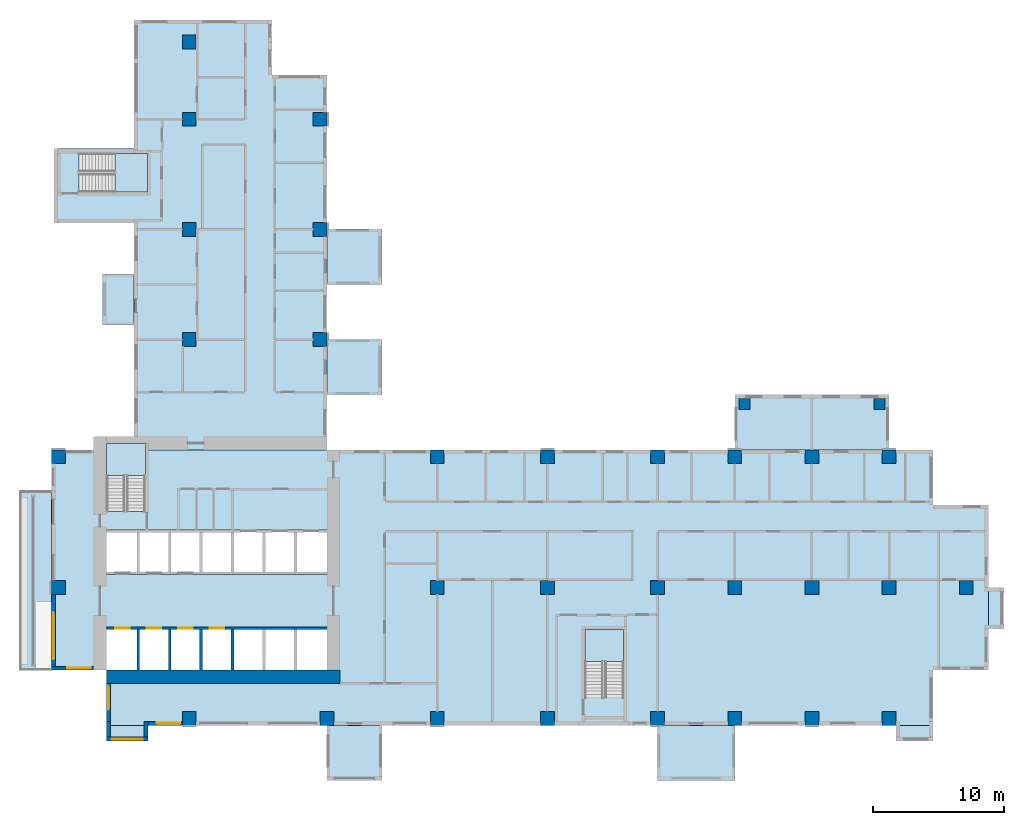
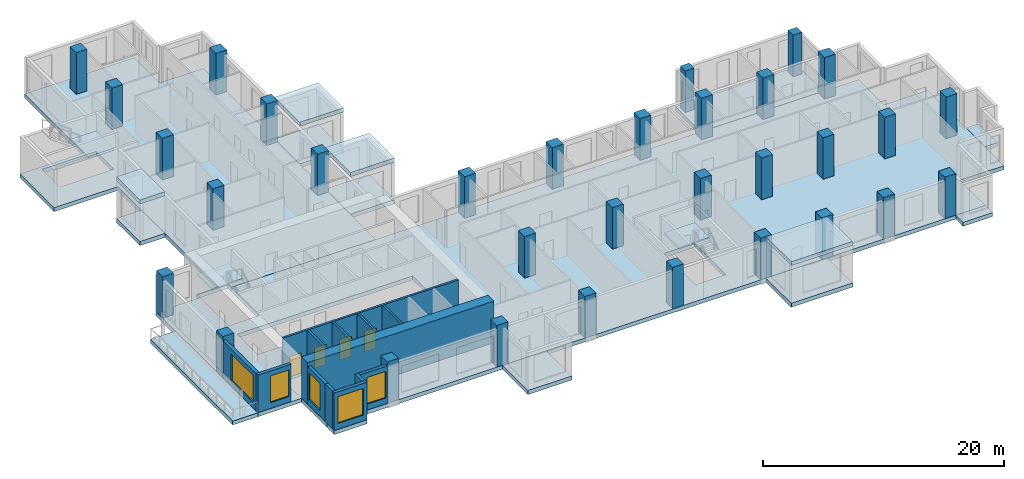
# One storey, part 1 of 14: 32 columns, 19 slabs, 13 walls, 5 windows, 4 doors, 9 openings, 3 elements without a shape of their own.
"""IFC4 building model written with IfcOpenShell, lengths in metres."""

from ifc_helpers import new_model, si_unit, direction, frame, frame_2d, origin, origin_2d, place, context, subcontext, project, spatial, polyline, rectangle, outline, extrude, source, transform, mapped, material, layer, layer_set, material_profile, profile_set, type_object, element, fill, aggregate, save


model = new_model("IFC4")

# Units and contexts
model_context = context("Model", 3, precision=1e-05, world=origin(), true_north=direction((0.0, 1.0)))
body_context = subcontext(model_context, "Body", "Model", "MODEL_VIEW")
ifc_project = project(units=[si_unit("LENGTHUNIT", "METRE"), si_unit("AREAUNIT", "SQUARE_METRE"), si_unit("VOLUMEUNIT", "CUBIC_METRE"), si_unit("PLANEANGLEUNIT", "RADIAN"), si_unit("MASSUNIT", "GRAM", prefix="KILO")], contexts=[model_context])

# Site, building, storey
site_placement = place(None, origin())
site = spatial("IfcSite", under=ifc_project, at=site_placement, CompositionType="ELEMENT")
building_placement = place(site_placement, origin())
building = spatial("IfcBuilding", under=site, at=building_placement, Name="Aurelian Terraces", CompositionType="ELEMENT")
storey_placement = place(building_placement, frame((0.0, 0.0, 111.9)))
storey = spatial("IfcBuildingStorey", under=building, at=storey_placement, Name="L24", CompositionType="ELEMENT", Elevation=111.9)

# Columns
ifc_material_1 = material(Name="Concrete fc' 83 MPa", Category="concrete")
ifc_material_profile_1 = material_profile(ifc_material_1, rectangle(XDim=1.05, YDim=1.05, at=origin_2d()))
ifc_profile_set_1 = profile_set([ifc_material_profile_1], Name="Concrete fc' 83 MPa")
column_type_1 = type_object("IfcColumnType", Name="RC COLUMN 1050X1050 FC83", PredefinedType="COLUMN", material=ifc_profile_set_1)
shared_shape_1 = source(origin(), body_context, "Body", "SweptSolid", [
    extrude(rectangle(XDim=1.05, YDim=1.05, at=origin_2d()), origin(), (0.0, 0.0, 1.0), 4.2),
])
for number, where, z_axis, x_axis, name in (
    (1, (10.5, 0.525, 0.0), (0.0, 0.0, 1.0), (1.0, 0.0, 0.0), "Column 2/A L24"),
    (2, (21.0, 0.525, 0.0), (0.0, 0.0, 1.0), (1.0, 0.0, 0.0), "Column 3/A L24"),
    (3, (29.4, 0.525, 0.0), (0.0, 0.0, 1.0), (1.0, 0.0, 0.0), "Column 4/A L24"),
    (4, (37.8, 0.525, 0.0), (0.0, 0.0, 1.0), (1.0, 0.0, 0.0), "Column 5/A L24"),
    (5, (46.2, 0.525, 0.0), (0.0, 0.0, 1.0), (1.0, 0.0, 0.0), "Column 6/A L24"),
    (6, (52.08, 0.525, 0.0), (0.0, 0.0, 1.0), (1.0, 0.0, 0.0), "Column 7/A L24"),
    (7, (57.96, 0.525, 0.0), (0.0, 0.0, 1.0), (1.0, 0.0, 0.0), "Column 8/A L24"),
    (8, (63.84, 0.525, 0.0), (0.0, 0.0, 1.0), (1.0, 0.0, 0.0), "Column 9/A L24"),
    (9, (0.525, 10.5, 0.0), (0.0, 0.0, 1.0), (1.0, 0.0, 0.0), "Column 1/B L24"),
    (10, (29.4, 10.5, 0.0), (0.0, 0.0, 1.0), (1.0, 0.0, 0.0), "Column 4/B L24"),
    (11, (37.8, 10.5, 0.0), (0.0, 0.0, 1.0), (1.0, 0.0, 0.0), "Column 5/B L24"),
    (12, (46.2, 10.5, 0.0), (0.0, 0.0, 1.0), (1.0, 0.0, 0.0), "Column 6/B L24"),
    (13, (52.08, 10.5, 0.0), (0.0, 0.0, 1.0), (1.0, 0.0, 0.0), "Column 7/B L24"),
    (14, (57.96, 10.5, 0.0), (0.0, 0.0, 1.0), (1.0, 0.0, 0.0), "Column 8/B L24"),
    (15, (63.84, 10.5, 0.0), (0.0, 0.0, 1.0), (1.0, 0.0, 0.0), "Column 9/B L24"),
    (16, (69.72, 10.5, 0.0), (0.0, 0.0, 1.0), (1.0, 0.0, 0.0), "Column 10/B L24"),
    (17, (0.525, 20.475, 0.0), (0.0, 0.0, 1.0), (1.0, 0.0, 0.0), "Column 1/C L24"),
    (18, (29.4, 20.475, 0.0), (0.0, 0.0, 1.0), (1.0, 0.0, 0.0), "Column 4/C L24"),
    (19, (37.8, 20.475, 0.0), (0.0, 0.0, 1.0), (1.0, 0.0, 0.0), "Column 5/C L24"),
    (20, (46.2, 20.475, 0.0), (0.0, 0.0, 1.0), (1.0, 0.0, 0.0), "Column 6/C L24"),
    (21, (52.08, 20.475, 0.0), (0.0, 0.0, 1.0), (1.0, 0.0, 0.0), "Column 7/C L24"),
    (22, (57.96, 20.475, 0.0), (0.0, 0.0, 1.0), (1.0, 0.0, 0.0), "Column 8/C L24"),
    (23, (63.84, 20.475, 0.0), (0.0, 0.0, 1.0), (1.0, 0.0, 0.0), "Column 9/C L24"),
    (24, (10.5, 29.4, 0.0), (0.0, 0.0, 1.0), (1.0, 0.0, 0.0), "Column 2/D L24"),
    (25, (20.475, 29.4, 0.0), (0.0, 0.0, 1.0), (1.0, 0.0, 0.0), "Column 3/D L24"),
    (26, (10.5, 37.8, 0.0), (0.0, 0.0, 1.0), (1.0, 0.0, 0.0), "Column 2/E L24"),
    (27, (20.475, 37.8, 0.0), (0.0, 0.0, 1.0), (1.0, 0.0, 0.0), "Column 3/E L24"),
    (28, (10.5, 46.2, 0.0), (0.0, 0.0, 1.0), (1.0, 0.0, 0.0), "Column 2/F L24"),
    (29, (20.475, 46.2, 0.0), (0.0, 0.0, 1.0), (1.0, 0.0, 0.0), "Column 3/F L24"),
    (30, (10.5, 52.08, 0.0), (0.0, 0.0, 1.0), (1.0, 0.0, 0.0), "Column 2/G L24"),
):
    element("IfcColumn", number, at=place(storey_placement, frame(where, z_axis=z_axis, x_axis=x_axis)), inside=storey, type_object=column_type_1, Name=name, PredefinedType="COLUMN", context=body_context, shape_type="MappedRepresentation", body=[
        mapped(shared_shape_1, transform((0.0, 0.0, 0.0), scale=1.0)),
    ])
ifc_material_2 = material(Name="Concrete fc' 55 MPa", Category="concrete")
ifc_material_profile_2 = material_profile(ifc_material_2, rectangle(XDim=0.84, YDim=0.84, at=origin_2d()))
ifc_profile_set_2 = profile_set([ifc_material_profile_2], Name="Concrete fc' 55 MPa")
column_type_2 = type_object("IfcColumnType", Name="BLOCK CORNER PIER 840X840", PredefinedType="COLUMN", material=ifc_profile_set_2)
shared_shape_2 = source(origin(), body_context, "Body", "SweptSolid", [
    extrude(rectangle(XDim=0.84, YDim=0.84, at=origin_2d()), origin(), (0.0, 0.0, 1.0), 4.6),
])
for number, where, z_axis, x_axis, name in (
    (31, (52.805, 24.48, -0.4), (0.0, 0.0, 1.0), (1.0, 0.0, 0.0), "Block pier K02.1 L24"),
    (32, (63.115, 24.48, -0.4), (0.0, 0.0, 1.0), (1.0, 0.0, 0.0), "Block pier K02.2 L24"),
):
    element("IfcColumn", number, at=place(storey_placement, frame(where, z_axis=z_axis, x_axis=x_axis)), inside=storey, type_object=column_type_2, Name=name, PredefinedType="COLUMN", context=body_context, shape_type="MappedRepresentation", body=[
        mapped(shared_shape_2, transform((0.0, 0.0, 0.0), scale=1.0)),
    ])

# Slabs
ifc_material_3 = material(Name="Concrete fc' 40 MPa", Category="concrete")
ifc_layer_1 = layer(ifc_material_3, 0.4)
ifc_layer_set_1 = layer_set([ifc_layer_1], Name="Bay floor 400")
slab_type_1 = type_object("IfcSlabType", Name="Bay floor 400", PredefinedType="NOTDEFINED", material=ifc_layer_set_1)
slab_1_placement = place(storey_placement, frame((0.0, 0.0, -0.4)))
element("IfcSlab", 33, at=slab_1_placement, inside=storey, type_object=slab_type_1, Name="Bay floor L24 F01.10", PredefinedType="NOTDEFINED", context=body_context, shape_type="SweptSolid", body=[
    extrude(outline(polyline([(64.365, 0.0), (67.2, 0.0), (67.2, -1.2), (64.365, -1.2), (64.365, 0.0)])), origin(), (0.0, 0.0, 1.0), 0.4),
])
ifc_layer_2 = layer(ifc_material_3, 0.41)
ifc_layer_set_2 = layer_set([ifc_layer_2], Name="Box floor 410")
slab_type_2 = type_object("IfcSlabType", Name="Box floor 410", PredefinedType="NOTDEFINED", material=ifc_layer_set_2)
slab_2_placement = place(storey_placement, frame((0.0, 0.0, -0.41)))
element("IfcSlab", 34, at=slab_2_placement, inside=storey, type_object=slab_type_2, Name="Box floor L24 J35", PredefinedType="NOTDEFINED", context=body_context, shape_type="SweptSolid", body=[
    extrude(outline(polyline([(21.0, -4.2), (25.2, -4.2), (25.2, 0.0), (21.0, 0.0), (21.0, -4.2)])), origin(), (0.0, 0.0, 1.0), 0.41),
])
slab_3_placement = place(storey_placement, frame((0.0, 0.0, -0.41)))
element("IfcSlab", 35, at=slab_3_placement, inside=storey, type_object=slab_type_2, Name="Box floor L24 K02", PredefinedType="NOTDEFINED", context=body_context, shape_type="SweptSolid", body=[
    extrude(outline(polyline([(63.84, 25.2), (52.08, 25.2), (52.08, 21.0), (63.84, 21.0), (63.84, 25.2)])), origin(), (0.0, 0.0, 1.0), 0.41),
])
ifc_layer_3 = layer(ifc_material_3, 0.4)
ifc_layer_set_3 = layer_set([ifc_layer_3], Name="Box roof 400")
slab_type_3 = type_object("IfcSlabType", Name="Box roof 400", PredefinedType="ROOF", material=ifc_layer_set_3)
slab_4_placement = place(storey_placement, frame((0.0, 0.0, 3.8)))
element("IfcSlab", 36, at=slab_4_placement, inside=storey, type_object=slab_type_3, Name="Box roof J34", PredefinedType="ROOF", context=body_context, shape_type="SweptSolid", body=[
    extrude(outline(polyline([(3.9, 34.4), (3.9, 30.5), (6.3, 30.5), (6.3, 34.4), (3.9, 34.4)])), origin(), (0.0, 0.0, 1.0), 0.4),
])
ifc_layer_4 = layer(ifc_material_3, 0.4)
ifc_layer_set_4 = layer_set([ifc_layer_4], Name="PT FLAT PLATE 400")
slab_type_4 = type_object("IfcSlabType", Name="PT FLAT PLATE 400", PredefinedType="FLOOR", material=ifc_layer_set_4)
shared_shape_3 = source(origin(), body_context, "Body", "SweptSolid", [
    extrude(outline(polyline([(67.2, 16.8), (71.4, 16.8), (71.4, 4.2), (67.2, 4.2), (67.2, 0.0), (21.0, 0.0), (4.2, 0.0), (4.2, 4.2), (0.0, 4.2), (0.0, 21.0), (4.21, 21.0), (4.21, 16.31), (7.14, 16.31), (7.14, 21.0), (21.0, 21.0), (67.2, 21.0), (67.2, 16.8)]), holes=[polyline([(40.66, 2.11), (43.59, 2.11), (43.59, 7.29), (40.66, 7.29), (40.66, 2.11)]), polyline([(4.21, 7.49), (4.21, 4.21), (20.99, 4.21), (20.99, 7.49), (4.21, 7.49)]), polyline([(4.21, 14.89), (4.21, 11.51), (20.99, 11.51), (20.99, 14.89), (4.21, 14.89)])]), origin(), (0.0, 0.0, 1.0), 0.4),
])
slab_5_placement = place(storey_placement, frame((0.0, 0.0, -0.4)))
element("IfcSlab", 37, at=slab_5_placement, inside=storey, type_object=slab_type_4, Name="Floor slab S L24", PredefinedType="FLOOR", context=body_context, shape_type="MappedRepresentation", body=[
    mapped(shared_shape_3, transform((0.0, 0.0, 0.0), scale=1.0)),
])
shared_shape_4 = source(origin(), body_context, "Body", "SweptSolid", [
    extrude(outline(polyline([(0.2, 43.95), (6.3, 43.95), (6.3, 49.56), (6.3, 53.76), (10.5, 53.76), (16.8, 53.76), (16.8, 49.56), (21.0, 49.56), (21.0, 21.0), (7.14, 21.0), (7.14, 21.49), (4.21, 21.49), (4.21, 21.0), (4.2, 21.0), (4.2, 21.6), (6.3, 21.6), (6.3, 38.3), (0.2, 38.3), (0.2, 43.95)]), holes=[polyline([(7.29, 43.59), (2.11, 43.59), (2.11, 40.66), (7.29, 40.66), (7.29, 43.59)])]), origin(), (0.0, 0.0, 1.0), 0.4),
])
slab_6_placement = place(storey_placement, frame((0.0, 0.0, -0.4)))
element("IfcSlab", 38, at=slab_6_placement, inside=storey, type_object=slab_type_4, Name="Floor slab W L24", PredefinedType="FLOOR", context=body_context, shape_type="MappedRepresentation", body=[
    mapped(shared_shape_4, transform((0.0, 0.0, 0.0), scale=1.0)),
])
shared_shape_5 = source(origin(), body_context, "Body", "SweptSolid", [
    extrude(outline(polyline([(46.2, -4.2), (52.08, -4.2), (52.08, 0.0), (46.2, 0.0), (46.2, -4.2)])), origin(), (0.0, 0.0, 1.0), 0.41),
])
slab_7_placement = place(storey_placement, frame((0.0, 0.0, -0.41)))
element("IfcSlab", 39, at=slab_7_placement, inside=storey, type_object=slab_type_2, Name="Box floor L24 J31", PredefinedType="NOTDEFINED", context=body_context, shape_type="MappedRepresentation", body=[
    mapped(shared_shape_5, transform((0.0, 0.0, 0.0), scale=1.0)),
])
shared_shape_6 = source(origin(), body_context, "Body", "SweptSolid", [
    extrude(outline(polyline([(71.4, 7.35), (71.4, 10.5), (72.6, 10.5), (72.6, 7.35), (71.4, 7.35)])), origin(), (0.0, 0.0, 1.0), 0.4),
])
slab_8_placement = place(storey_placement, frame((0.0, 0.0, -0.4)))
element("IfcSlab", 40, at=slab_8_placement, inside=storey, type_object=slab_type_1, Name="Bay floor L24 F04.15", PredefinedType="NOTDEFINED", context=body_context, shape_type="MappedRepresentation", body=[
    mapped(shared_shape_6, transform((0.0, 0.0, 0.0), scale=1.0)),
])
shared_shape_7 = source(origin(), body_context, "Body", "SweptSolid", [
    extrude(outline(polyline([(4.2, 0.0), (7.35, 0.0), (7.35, -1.2), (4.2, -1.2), (4.2, 0.0)])), origin(), (0.0, 0.0, 1.0), 0.4),
])
slab_9_placement = place(storey_placement, frame((0.0, 0.0, -0.4)))
element("IfcSlab", 41, at=slab_9_placement, inside=storey, type_object=slab_type_1, Name="Bay floor L24 F01.1", PredefinedType="NOTDEFINED", context=body_context, shape_type="MappedRepresentation", body=[
    mapped(shared_shape_7, transform((0.0, 0.0, 0.0), scale=1.0)),
])
shared_shape_8 = source(origin(), body_context, "Body", "SweptSolid", [
    extrude(outline(polyline([(46.2, -4.2), (52.08, -4.2), (52.08, 0.0), (46.2, 0.0), (46.2, -4.2)])), origin(), (0.0, 0.0, 1.0), 0.4),
])
slab_10_placement = place(storey_placement, frame((0.0, 0.0, 3.8)))
element("IfcSlab", 42, at=slab_10_placement, inside=storey, type_object=slab_type_3, Name="Box roof J31", PredefinedType="ROOF", context=body_context, shape_type="MappedRepresentation", body=[
    mapped(shared_shape_8, transform((0.0, 0.0, 0.0), scale=1.0)),
])
shared_shape_9 = source(origin(), body_context, "Body", "SweptSolid", [
    extrude(outline(polyline([(25.2, 25.2), (25.2, 29.4), (21.0, 29.4), (21.0, 25.2), (25.2, 25.2)])), origin(), (0.0, 0.0, 1.0), 0.41),
])
slab_11_placement = place(storey_placement, frame((0.0, 0.0, -0.41)))
element("IfcSlab", 43, at=slab_11_placement, inside=storey, type_object=slab_type_2, Name="Box floor L24 J32", PredefinedType="NOTDEFINED", context=body_context, shape_type="MappedRepresentation", body=[
    mapped(shared_shape_9, transform((0.0, 0.0, 0.0), scale=1.0)),
])
shared_shape_10 = source(origin(), body_context, "Body", "SweptSolid", [
    extrude(outline(polyline([(25.2, 33.6), (25.2, 37.8), (21.0, 37.8), (21.0, 33.6), (25.2, 33.6)])), origin(), (0.0, 0.0, 1.0), 0.41),
])
slab_12_placement = place(storey_placement, frame((0.0, 0.0, -0.41)))
element("IfcSlab", 44, at=slab_12_placement, inside=storey, type_object=slab_type_2, Name="Box floor L24 J33", PredefinedType="NOTDEFINED", context=body_context, shape_type="MappedRepresentation", body=[
    mapped(shared_shape_10, transform((0.0, 0.0, 0.0), scale=1.0)),
])
shared_shape_11 = source(origin(), body_context, "Body", "SweptSolid", [
    extrude(outline(polyline([(25.2, 25.2), (25.2, 29.4), (21.0, 29.4), (21.0, 25.2), (25.2, 25.2)])), origin(), (0.0, 0.0, 1.0), 0.4),
])
slab_13_placement = place(storey_placement, frame((0.0, 0.0, 3.8)))
element("IfcSlab", 45, at=slab_13_placement, inside=storey, type_object=slab_type_3, Name="Box roof J32", PredefinedType="ROOF", context=body_context, shape_type="MappedRepresentation", body=[
    mapped(shared_shape_11, transform((0.0, 0.0, 0.0), scale=1.0)),
])
shared_shape_12 = source(origin(), body_context, "Body", "SweptSolid", [
    extrude(outline(polyline([(25.2, 33.6), (25.2, 37.8), (21.0, 37.8), (21.0, 33.6), (25.2, 33.6)])), origin(), (0.0, 0.0, 1.0), 0.4),
])
slab_14_placement = place(storey_placement, frame((0.0, 0.0, 3.8)))
element("IfcSlab", 46, at=slab_14_placement, inside=storey, type_object=slab_type_3, Name="Box roof J33", PredefinedType="ROOF", context=body_context, shape_type="MappedRepresentation", body=[
    mapped(shared_shape_12, transform((0.0, 0.0, 0.0), scale=1.0)),
])
shared_shape_13 = source(origin(), body_context, "Body", "SweptSolid", [
    extrude(outline(polyline([(3.9, 34.4), (3.9, 30.5), (6.3, 30.5), (6.3, 34.4), (3.9, 34.4)])), origin(), (0.0, 0.0, 1.0), 0.41),
])
slab_15_placement = place(storey_placement, frame((0.0, 0.0, -0.41)))
element("IfcSlab", 47, at=slab_15_placement, inside=storey, type_object=slab_type_2, Name="Box floor L24 J34", PredefinedType="NOTDEFINED", context=body_context, shape_type="MappedRepresentation", body=[
    mapped(shared_shape_13, transform((0.0, 0.0, 0.0), scale=1.0)),
])
ifc_layer_5 = layer(ifc_material_3, 0.4)
ifc_layer_set_5 = layer_set([ifc_layer_5], Name="Balcony slab 400")
slab_type_5 = type_object("IfcSlabType", Name="Balcony slab 400", PredefinedType="NOTDEFINED", material=ifc_layer_set_5)
shared_shape_14 = source(origin(), body_context, "Body", "SweptSolid", [
    extrude(outline(polyline([(0.0, 17.85), (0.0, 4.2), (-2.4, 4.2), (-2.4, 17.85), (0.0, 17.85)])), origin(), (0.0, 0.0, 1.0), 0.4),
])
slab_16_placement = place(storey_placement, frame((0.0, 0.0, -0.4)))
element("IfcSlab", 48, at=slab_16_placement, inside=storey, type_object=slab_type_5, Name="Balcony slab L24 F20.38", PredefinedType="NOTDEFINED", context=body_context, shape_type="MappedRepresentation", body=[
    mapped(shared_shape_14, transform((0.0, 0.0, 0.0), scale=1.0)),
])

# Stair, slab
stair_type = type_object("IfcStairType", Name="Stair 1400", PredefinedType="HALF_TURN_STAIR", material=ifc_material_3)
stair_1_placement = place(storey_placement, origin())
stair_1 = element("IfcStair", 49, at=stair_1_placement, inside=storey, type_object=stair_type, Name="L24 S1", PredefinedType="HALF_TURN_STAIR")
ifc_layer_6 = layer(ifc_material_3, 0.2)
ifc_layer_set_6 = layer_set([ifc_layer_6], Name="Stair landing 200")
slab_type_6 = type_object("IfcSlabType", Name="Stair landing 200", PredefinedType="LANDING", material=ifc_layer_set_6)
shared_shape_15 = source(origin(), body_context, "Body", "SweptSolid", [
    extrude(outline(polyline([(7.15, 19.05), (7.15, 21.5), (4.2, 21.5), (4.2, 19.05), (7.15, 19.05)])), origin(), (0.0, 0.0, 1.0), 0.2),
])
slab_17_placement = place(storey_placement, frame((0.0, 0.0, 1.9)))
slab_17 = element("IfcSlab", 50, at=slab_17_placement, type_object=slab_type_6, Name="S1 landing 1", PredefinedType="LANDING", context=body_context, shape_type="MappedRepresentation", body=[
    mapped(shared_shape_15, transform((0.0, 0.0, 0.0), scale=1.0)),
])
aggregate(stair_1, [slab_17])

stair_2_placement = place(storey_placement, origin())
stair_2 = element("IfcStair", 51, at=stair_2_placement, inside=storey, type_object=stair_type, Name="L24 S2", PredefinedType="HALF_TURN_STAIR")
shared_shape_16 = source(origin(), body_context, "Body", "SweptSolid", [
    extrude(outline(polyline([(43.6, 4.85), (43.6, 7.3), (40.65, 7.3), (40.65, 4.85), (43.6, 4.85)])), origin(), (0.0, 0.0, 1.0), 0.2),
])
slab_18_placement = place(storey_placement, frame((0.0, 0.0, 1.9)))
slab_18 = element("IfcSlab", 52, at=slab_18_placement, type_object=slab_type_6, Name="S2 landing 1", PredefinedType="LANDING", context=body_context, shape_type="MappedRepresentation", body=[
    mapped(shared_shape_16, transform((0.0, 0.0, 0.0), scale=1.0)),
])
aggregate(stair_2, [slab_18])

stair_3_placement = place(storey_placement, origin())
stair_3 = element("IfcStair", 53, at=stair_3_placement, inside=storey, type_object=stair_type, Name="L24 S3", PredefinedType="HALF_TURN_STAIR")
shared_shape_17 = source(origin(), body_context, "Body", "SweptSolid", [
    extrude(outline(polyline([(4.85, 40.65), (7.3, 40.65), (7.3, 43.6), (4.85, 43.6), (4.85, 40.65)])), origin(), (0.0, 0.0, 1.0), 0.2),
])
slab_19_placement = place(storey_placement, frame((0.0, 0.0, 1.9)))
slab_19 = element("IfcSlab", 54, at=slab_19_placement, type_object=slab_type_6, Name="S3 landing 1", PredefinedType="LANDING", context=body_context, shape_type="MappedRepresentation", body=[
    mapped(shared_shape_17, transform((0.0, 0.0, 0.0), scale=1.0)),
])
aggregate(stair_3, [slab_19])

# Wall
ifc_layer_7 = layer(ifc_material_1, 1.0)
ifc_layer_set_7 = layer_set([ifc_layer_7], Name="CORE WALL 1000 FC83")
wall_type_1 = type_object("IfcWallType", Name="CORE WALL 1000 FC83", PredefinedType="SHEAR", material=ifc_layer_set_7)
shared_shape_18 = source(origin(), body_context, "Body", "SweptSolid", [
    extrude(rectangle(XDim=17.8, YDim=1.0, at=frame_2d((8.9, 0.0))), origin(), (0.0, 0.0, 1.0), 4.2),
])
wall_1_placement = place(storey_placement, frame((4.2, 3.7, 0.0), z_axis=(0.0, 0.0, 1.0), x_axis=(1.0, 0.0, 0.0)))
element("IfcWall", 55, at=wall_1_placement, inside=storey, type_object=wall_type_1, Name="Core wall S L24", PredefinedType="SHEAR", context=body_context, shape_type="MappedRepresentation", body=[
    mapped(shared_shape_18, transform((0.0, 0.0, 0.0), scale=1.0)),
])

# Wall, opening, window
ifc_material_4 = material(Name="Terracotta rainscreen cladding", Category="masonry")
ifc_layer_8 = layer(ifc_material_4, 0.3)
ifc_layer_set_8 = layer_set([ifc_layer_8], Name="EW-300")
wall_type_2 = type_object("IfcWallType", Name="EW-300", PredefinedType="STANDARD", material=ifc_layer_set_8)
shared_shape_19 = source(origin(), body_context, "Body", "SweptSolid", [
    extrude(rectangle(XDim=3.15, YDim=0.3, at=frame_2d((1.575, 0.0))), origin(), (0.0, 0.0, 1.0), 3.8),
])
wall_2_placement = place(storey_placement, frame((4.2, -1.05, 0.0), z_axis=(0.0, 0.0, 1.0), x_axis=(1.0, 0.0, 0.0)))
wall_2 = element("IfcWall", 56, at=wall_2_placement, inside=storey, type_object=wall_type_2, Name="Bay wall L24 F01.1", PredefinedType="STANDARD", context=body_context, shape_type="MappedRepresentation", body=[
    mapped(shared_shape_19, transform((0.0, 0.0, 0.0), scale=1.0)),
])
shared_shape_20 = source(origin(), body_context, "Body", "SweptSolid", [
    extrude(rectangle(XDim=2.4, YDim=2.7, at=frame_2d((1.2, 1.35))), frame((0.0, 0.16, 0.0), z_axis=(0.0, -1.0, 0.0), x_axis=(1.0, 0.0, 0.0)), (0.0, 0.0, 1.0), 0.32),
])
opening_1_placement = place(wall_2_placement, frame((0.375, 0.0, 0.6)))
opening_1 = element("IfcOpeningElement", 57, at=opening_1_placement, cuts=wall_2, Name="Opening W2427", PredefinedType="OPENING", context=body_context, shape_type="MappedRepresentation", body=[
    mapped(shared_shape_20, transform((0.0, 0.0, 0.0), scale=1.0)),
])
ifc_material_5 = material(Name="Clear glazing", Category="glass")
window_type_1 = type_object("IfcWindowType", Name="W-2400x2700", PartitioningType="SINGLE_PANEL", PredefinedType="WINDOW", material=ifc_material_5)
shared_shape_21 = source(origin(), body_context, "Body", "SweptSolid", [
    extrude(rectangle(XDim=2.4, YDim=2.7, at=frame_2d((1.2, 1.35))), frame((0.0, 0.03, 0.0), z_axis=(0.0, -1.0, 0.0), x_axis=(1.0, 0.0, 0.0)), (0.0, 0.0, 1.0), 0.06),
])
window_1_placement = place(opening_1_placement, origin())
window_1 = element("IfcWindow", 58, at=window_1_placement, inside=storey, type_object=window_type_1, Name="Window L24 L24-F01-01-0", OverallHeight=2.7, OverallWidth=2.4, PartitioningType="SINGLE_PANEL", PredefinedType="WINDOW", context=body_context, shape_type="MappedRepresentation", body=[
    mapped(shared_shape_21, transform((0.0, 0.0, 0.0), scale=1.0)),
])
fill(opening_1, window_1)

# Walls
shared_shape_22 = source(origin(), body_context, "Body", "SweptSolid", [
    extrude(rectangle(XDim=1.2, YDim=0.3, at=frame_2d((0.6, 0.0))), origin(), (0.0, 0.0, 1.0), 3.8),
])
for number, where, z_axis, x_axis, name in (
    (59, (4.35, 0.3, 0.0), (0.0, 0.0, 1.0), (0.0, -1.0, 0.0), "Bay return L24 F01.1.1"),
    (60, (7.2, 0.3, 0.0), (0.0, 0.0, 1.0), (0.0, -1.0, 0.0), "Bay return L24 F01.1.2"),
):
    element("IfcWall", number, at=place(storey_placement, frame(where, z_axis=z_axis, x_axis=x_axis)), inside=storey, type_object=wall_type_2, Name=name, PredefinedType="STANDARD", context=body_context, shape_type="MappedRepresentation", body=[
        mapped(shared_shape_22, transform((0.0, 0.0, 0.0), scale=1.0)),
    ])

# Wall, opening, window
shared_shape_23 = source(origin(), body_context, "Body", "SweptSolid", [
    extrude(rectangle(XDim=3.2, YDim=0.3, at=frame_2d((1.6, 0.0))), origin(), (0.0, 0.0, 1.0), 3.8),
])
wall_3_placement = place(storey_placement, frame((0.0, 4.35, 0.0), z_axis=(0.0, 0.0, 1.0), x_axis=(1.0, 0.0, 0.0)))
wall_3 = element("IfcWall", 61, at=wall_3_placement, inside=storey, type_object=wall_type_2, Name="External wall L24 F21.39", PredefinedType="STANDARD", context=body_context, shape_type="MappedRepresentation", body=[
    mapped(shared_shape_23, transform((0.0, 0.0, 0.0), scale=1.0)),
])
shared_shape_24 = source(origin(), body_context, "Body", "SweptSolid", [
    extrude(rectangle(XDim=1.8, YDim=2.7, at=frame_2d((0.9, 1.35))), frame((0.0, 0.16, 0.0), z_axis=(0.0, -1.0, 0.0), x_axis=(1.0, 0.0, 0.0)), (0.0, 0.0, 1.0), 0.32),
])
opening_2_placement = place(wall_3_placement, frame((1.2, 0.0, 0.6)))
opening_2 = element("IfcOpeningElement", 62, at=opening_2_placement, cuts=wall_3, Name="Opening W1827", PredefinedType="OPENING", context=body_context, shape_type="MappedRepresentation", body=[
    mapped(shared_shape_24, transform((0.0, 0.0, 0.0), scale=1.0)),
])
window_type_2 = type_object("IfcWindowType", Name="W-1800x2700", PartitioningType="SINGLE_PANEL", PredefinedType="WINDOW", material=ifc_material_5)
shared_shape_25 = source(origin(), body_context, "Body", "SweptSolid", [
    extrude(rectangle(XDim=1.8, YDim=2.7, at=frame_2d((0.9, 1.35))), frame((0.0, 0.03, 0.0), z_axis=(0.0, -1.0, 0.0), x_axis=(1.0, 0.0, 0.0)), (0.0, 0.0, 1.0), 0.06),
])
window_2_placement = place(opening_2_placement, origin())
window_2 = element("IfcWindow", 63, at=window_2_placement, inside=storey, type_object=window_type_2, Name="Window L24 L24-F21-39-0", OverallHeight=2.7, OverallWidth=1.8, PartitioningType="SINGLE_PANEL", PredefinedType="WINDOW", context=body_context, shape_type="MappedRepresentation", body=[
    mapped(shared_shape_25, transform((0.0, 0.0, 0.0), scale=1.0)),
])
fill(opening_2, window_2)

wall_4_placement = place(storey_placement, frame((4.35, 3.2, 0.0), z_axis=(0.0, 0.0, 1.0), x_axis=(0.0, -1.0, 0.0)))
wall_4 = element("IfcWall", 64, at=wall_4_placement, inside=storey, type_object=wall_type_2, Name="External wall L24 F22.40", PredefinedType="STANDARD", context=body_context, shape_type="MappedRepresentation", body=[
    mapped(shared_shape_23, transform((0.0, 0.0, 0.0), scale=1.0)),
])
opening_3_placement = place(wall_4_placement, frame((0.2, 0.0, 0.6)))
opening_3 = element("IfcOpeningElement", 65, at=opening_3_placement, cuts=wall_4, Name="Opening W1827", PredefinedType="OPENING", context=body_context, shape_type="MappedRepresentation", body=[
    mapped(shared_shape_24, transform((0.0, 0.0, 0.0), scale=1.0)),
])
window_3_placement = place(opening_3_placement, origin())
window_3 = element("IfcWindow", 66, at=window_3_placement, inside=storey, type_object=window_type_2, Name="Window L24 L24-F22-40-0", OverallHeight=2.7, OverallWidth=1.8, PartitioningType="SINGLE_PANEL", PredefinedType="WINDOW", context=body_context, shape_type="MappedRepresentation", body=[
    mapped(shared_shape_25, transform((0.0, 0.0, 0.0), scale=1.0)),
])
fill(opening_3, window_3)

shared_shape_26 = source(origin(), body_context, "Body", "SweptSolid", [
    extrude(rectangle(XDim=2.625, YDim=0.3, at=frame_2d((1.3125, 0.0))), origin(), (0.0, 0.0, 1.0), 3.8),
])
wall_5_placement = place(storey_placement, frame((7.35, 0.15, 0.0), z_axis=(0.0, 0.0, 1.0), x_axis=(1.0, 0.0, 0.0)))
wall_5 = element("IfcWall", 67, at=wall_5_placement, inside=storey, type_object=wall_type_2, Name="External wall L24 F01.2", PredefinedType="STANDARD", context=body_context, shape_type="MappedRepresentation", body=[
    mapped(shared_shape_26, transform((0.0, 0.0, 0.0), scale=1.0)),
])
opening_4_placement = place(wall_5_placement, frame((0.675, 0.0, 0.6)))
opening_4 = element("IfcOpeningElement", 68, at=opening_4_placement, cuts=wall_5, Name="Opening W1827", PredefinedType="OPENING", context=body_context, shape_type="MappedRepresentation", body=[
    mapped(shared_shape_24, transform((0.0, 0.0, 0.0), scale=1.0)),
])
window_4_placement = place(opening_4_placement, origin())
window_4 = element("IfcWindow", 69, at=window_4_placement, inside=storey, type_object=window_type_2, Name="Window L24 L24-F01-02-0", OverallHeight=2.7, OverallWidth=1.8, PartitioningType="SINGLE_PANEL", PredefinedType="WINDOW", context=body_context, shape_type="MappedRepresentation", body=[
    mapped(shared_shape_25, transform((0.0, 0.0, 0.0), scale=1.0)),
])
fill(opening_4, window_4)

shared_shape_27 = source(origin(), body_context, "Body", "SweptSolid", [
    extrude(rectangle(XDim=5.775, YDim=0.3, at=frame_2d((2.8875, 0.0))), origin(), (0.0, 0.0, 1.0), 3.8),
])
wall_6_placement = place(storey_placement, frame((0.15, 9.975, 0.0), z_axis=(0.0, 0.0, 1.0), x_axis=(0.0, -1.0, 0.0)))
wall_6 = element("IfcWall", 70, at=wall_6_placement, inside=storey, type_object=wall_type_2, Name="External wall L24 F20.38", PredefinedType="STANDARD", context=body_context, shape_type="MappedRepresentation", body=[
    mapped(shared_shape_27, transform((0.0, 0.0, 0.0), scale=1.0)),
])
shared_shape_28 = source(origin(), body_context, "Body", "SweptSolid", [
    extrude(rectangle(XDim=3.6, YDim=2.7, at=frame_2d((1.8, 1.35))), frame((0.0, 0.16, 0.0), z_axis=(0.0, -1.0, 0.0), x_axis=(1.0, 0.0, 0.0)), (0.0, 0.0, 1.0), 0.32),
])
opening_5_placement = place(wall_6_placement, frame((1.35, 0.0, 0.6)))
opening_5 = element("IfcOpeningElement", 71, at=opening_5_placement, cuts=wall_6, Name="Opening W3627", PredefinedType="OPENING", context=body_context, shape_type="MappedRepresentation", body=[
    mapped(shared_shape_28, transform((0.0, 0.0, 0.0), scale=1.0)),
])
window_type_3 = type_object("IfcWindowType", Name="W-3600x2700", PartitioningType="SINGLE_PANEL", PredefinedType="WINDOW", material=ifc_material_5)
shared_shape_29 = source(origin(), body_context, "Body", "SweptSolid", [
    extrude(rectangle(XDim=3.6, YDim=2.7, at=frame_2d((1.8, 1.35))), frame((0.0, 0.03, 0.0), z_axis=(0.0, -1.0, 0.0), x_axis=(1.0, 0.0, 0.0)), (0.0, 0.0, 1.0), 0.06),
])
window_5_placement = place(opening_5_placement, origin())
window_5 = element("IfcWindow", 72, at=window_5_placement, inside=storey, type_object=window_type_3, Name="Window L24 L24-F20-38-2", OverallHeight=2.7, OverallWidth=3.6, PartitioningType="SINGLE_PANEL", PredefinedType="WINDOW", context=body_context, shape_type="MappedRepresentation", body=[
    mapped(shared_shape_29, transform((0.0, 0.0, 0.0), scale=1.0)),
])
fill(opening_5, window_5)

# Walls
ifc_layer_9 = layer(ifc_material_3, 0.2)
ifc_layer_set_9 = layer_set([ifc_layer_9], Name="Lift shaft wall 200")
wall_type_3 = type_object("IfcWallType", Name="Lift shaft wall 200", PredefinedType="SOLIDWALL", material=ifc_layer_set_9)
shared_shape_30 = source(origin(), body_context, "Body", "SweptSolid", [
    extrude(rectangle(XDim=3.1, YDim=0.2, at=frame_2d((1.55, 0.0))), origin(), (0.0, 0.0, 1.0), 4.2),
])
for number, where, z_axis, x_axis, name in (
    (73, (6.6, 4.2, 0.0), (0.0, 0.0, 1.0), (0.0, 1.0, 0.0), "L24 core wall CD-A1"),
    (74, (9.0, 4.2, 0.0), (0.0, 0.0, 1.0), (0.0, 1.0, 0.0), "L24 core wall CD-A2"),
    (75, (11.4, 4.2, 0.0), (0.0, 0.0, 1.0), (0.0, 1.0, 0.0), "L24 core wall CD-A3"),
    (76, (13.8, 4.2, 0.0), (0.0, 0.0, 1.0), (0.0, 1.0, 0.0), "L24 core wall CD-A4"),
):
    element("IfcWall", number, at=place(storey_placement, frame(where, z_axis=z_axis, x_axis=x_axis)), inside=storey, type_object=wall_type_3, Name=name, PredefinedType="SOLIDWALL", context=body_context, shape_type="MappedRepresentation", body=[
        mapped(shared_shape_30, transform((0.0, 0.0, 0.0), scale=1.0)),
    ])

# Wall, openings, doors
shared_shape_31 = source(origin(), body_context, "Body", "SweptSolid", [
    extrude(rectangle(XDim=16.8, YDim=0.2, at=frame_2d((8.4, 0.0))), origin(), (0.0, 0.0, 1.0), 4.2),
])
wall_7_placement = place(storey_placement, frame((4.2, 7.4, 0.0), z_axis=(0.0, 0.0, 1.0), x_axis=(1.0, 0.0, 0.0)))
wall_7 = element("IfcWall", 77, at=wall_7_placement, inside=storey, type_object=wall_type_3, Name="L24 core wall CF-AF1", PredefinedType="SOLIDWALL", context=body_context, shape_type="MappedRepresentation", body=[
    mapped(shared_shape_31, transform((0.0, 0.0, 0.0), scale=1.0)),
])
shared_shape_32 = source(origin(), body_context, "Body", "SweptSolid", [
    extrude(rectangle(XDim=1.1, YDim=2.1, at=frame_2d((0.55, 1.05))), frame((0.0, 0.11, 0.0), z_axis=(0.0, -1.0, 0.0), x_axis=(1.0, 0.0, 0.0)), (0.0, 0.0, 1.0), 0.22),
])
opening_6_placement = place(wall_7_placement, frame((0.65, 0.0, 0.0)))
opening_6 = element("IfcOpeningElement", 78, at=opening_6_placement, cuts=wall_7, Name="Opening 62700", PredefinedType="OPENING", context=body_context, shape_type="MappedRepresentation", body=[
    mapped(shared_shape_32, transform((0.0, 0.0, 0.0), scale=1.0)),
])
opening_7_placement = place(wall_7_placement, frame((3.05, 0.0, 0.0)))
opening_7 = element("IfcOpeningElement", 79, at=opening_7_placement, cuts=wall_7, Name="Opening 62701", PredefinedType="OPENING", context=body_context, shape_type="MappedRepresentation", body=[
    mapped(shared_shape_32, transform((0.0, 0.0, 0.0), scale=1.0)),
])
opening_8_placement = place(wall_7_placement, frame((5.45, 0.0, 0.0)))
opening_8 = element("IfcOpeningElement", 80, at=opening_8_placement, cuts=wall_7, Name="Opening 62702", PredefinedType="OPENING", context=body_context, shape_type="MappedRepresentation", body=[
    mapped(shared_shape_32, transform((0.0, 0.0, 0.0), scale=1.0)),
])
opening_9_placement = place(wall_7_placement, frame((7.85, 0.0, 0.0)))
opening_9 = element("IfcOpeningElement", 81, at=opening_9_placement, cuts=wall_7, Name="Opening 62703", PredefinedType="OPENING", context=body_context, shape_type="MappedRepresentation", body=[
    mapped(shared_shape_32, transform((0.0, 0.0, 0.0), scale=1.0)),
])
ifc_material_6 = material(Name="Stainless steel", Category="steel")
door_type = type_object("IfcDoorType", Name="Lift landing door 1100x2100", OperationType="SLIDING_TO_LEFT", PredefinedType="DOOR", material=ifc_material_6)
shared_shape_33 = source(origin(), body_context, "Body", "SweptSolid", [
    extrude(rectangle(XDim=1.1, YDim=2.1, at=frame_2d((0.55, 1.05))), frame((0.0, 0.025, 0.0), z_axis=(0.0, -1.0, 0.0), x_axis=(1.0, 0.0, 0.0)), (0.0, 0.0, 1.0), 0.05),
])
door_1_placement = place(opening_6_placement, origin())
door_1 = element("IfcDoor", 82, at=door_1_placement, inside=storey, type_object=door_type, Name="Lift landing door LL1 L24", OperationType="SLIDING_TO_LEFT", OverallHeight=2.1, OverallWidth=1.1, PredefinedType="DOOR", context=body_context, shape_type="MappedRepresentation", body=[
    mapped(shared_shape_33, transform((0.0, 0.0, 0.0), scale=1.0)),
])
fill(opening_6, door_1)
door_2_placement = place(opening_7_placement, origin())
door_2 = element("IfcDoor", 83, at=door_2_placement, inside=storey, type_object=door_type, Name="Lift landing door LL2 L24", OperationType="SLIDING_TO_LEFT", OverallHeight=2.1, OverallWidth=1.1, PredefinedType="DOOR", context=body_context, shape_type="MappedRepresentation", body=[
    mapped(shared_shape_33, transform((0.0, 0.0, 0.0), scale=1.0)),
])
fill(opening_7, door_2)
door_3_placement = place(opening_8_placement, origin())
door_3 = element("IfcDoor", 84, at=door_3_placement, inside=storey, type_object=door_type, Name="Lift landing door LL3 L24", OperationType="SLIDING_TO_LEFT", OverallHeight=2.1, OverallWidth=1.1, PredefinedType="DOOR", context=body_context, shape_type="MappedRepresentation", body=[
    mapped(shared_shape_33, transform((0.0, 0.0, 0.0), scale=1.0)),
])
fill(opening_8, door_3)
door_4_placement = place(opening_9_placement, origin())
door_4 = element("IfcDoor", 85, at=door_4_placement, inside=storey, type_object=door_type, Name="Lift landing door LL4 L24", OperationType="SLIDING_TO_LEFT", OverallHeight=2.1, OverallWidth=1.1, PredefinedType="DOOR", context=body_context, shape_type="MappedRepresentation", body=[
    mapped(shared_shape_33, transform((0.0, 0.0, 0.0), scale=1.0)),
])
fill(opening_9, door_4)

save(model, "model.ifc")
